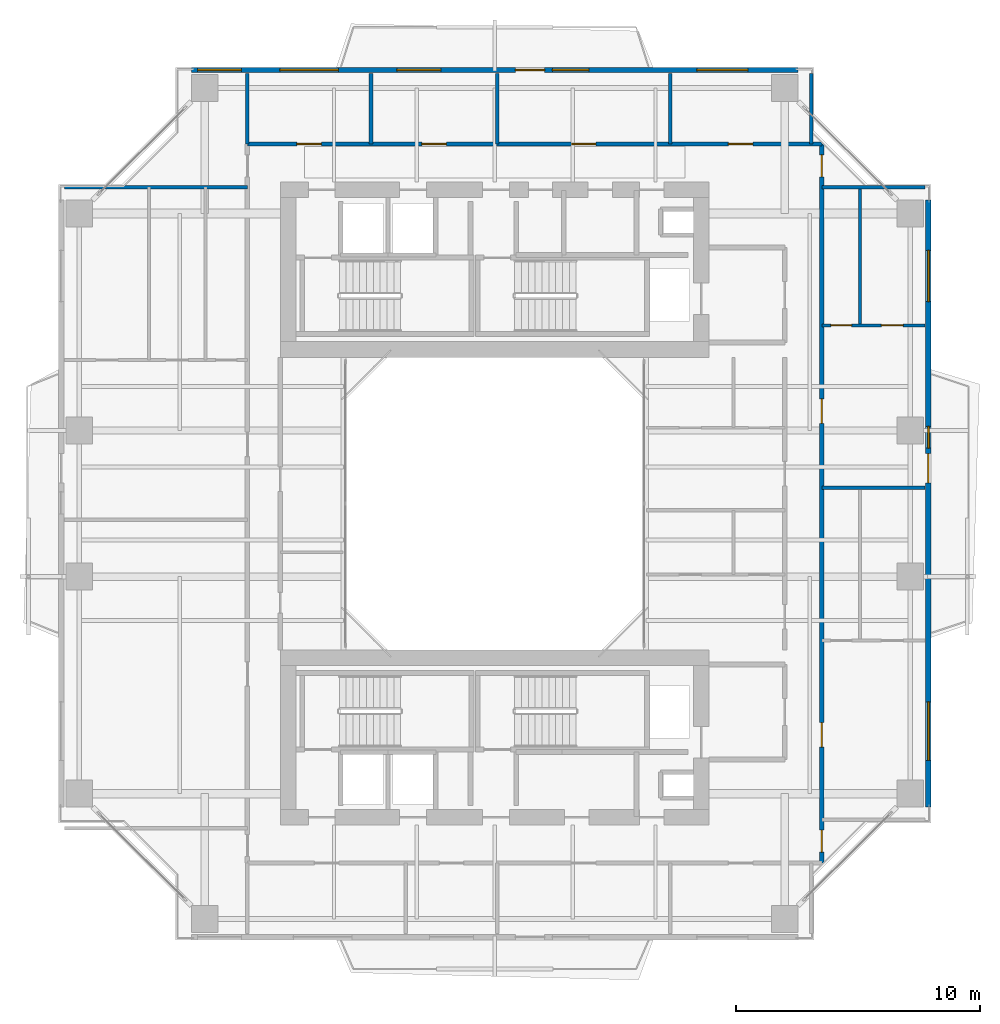
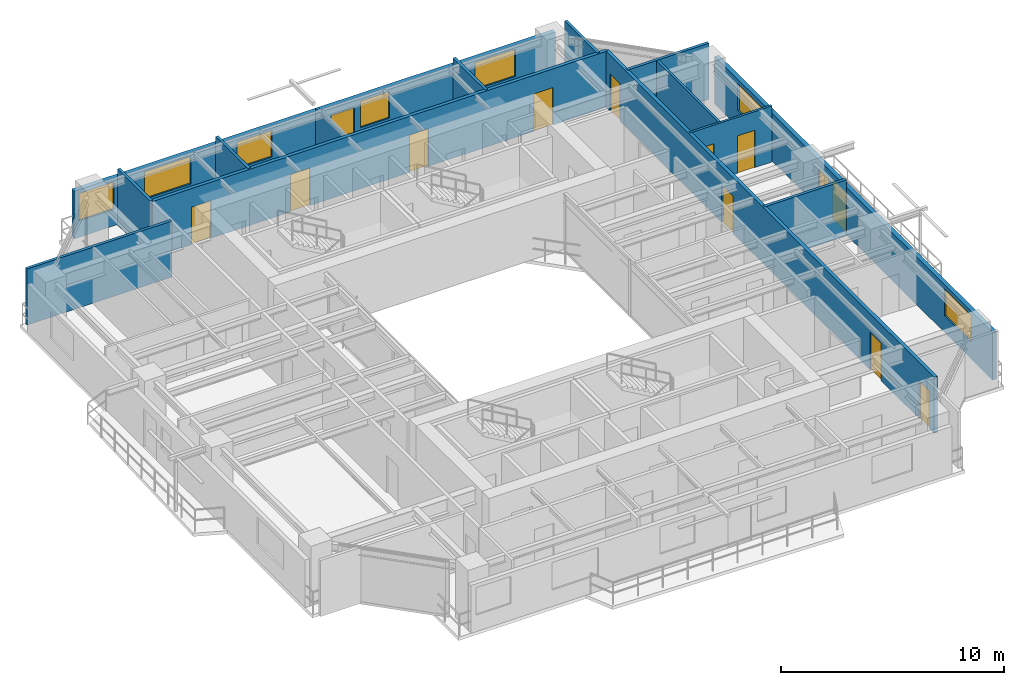
# One storey, part 13 of 17: 14 walls, 12 doors, 8 windows, 20 openings.
"""IFC4 building model written with IfcOpenShell, lengths in metres."""

from ifc_helpers import new_model, si_unit, direction, frame, frame_2d, origin, place, context, subcontext, project, spatial, rectangle, extrude, source, transform, mapped, material, layer, layer_set, type_object, element, fill, save


model = new_model("IFC4")

# Units and contexts
model_context = context("Model", 3, precision=1e-05, world=origin(), true_north=direction((0.0, 1.0)))
body_context = subcontext(model_context, "Body", "Model", "MODEL_VIEW")
ifc_project = project(units=[si_unit("LENGTHUNIT", "METRE"), si_unit("AREAUNIT", "SQUARE_METRE"), si_unit("VOLUMEUNIT", "CUBIC_METRE"), si_unit("PLANEANGLEUNIT", "RADIAN"), si_unit("MASSUNIT", "GRAM", prefix="KILO"), si_unit("THERMODYNAMICTEMPERATUREUNIT", "KELVIN"), si_unit("POWERUNIT", "WATT")], contexts=[model_context])

# Site, building, storey
site_placement = place(None, origin())
site = spatial("IfcSite", under=ifc_project, at=site_placement, CompositionType="ELEMENT")
building_placement = place(site_placement, origin())
building = spatial("IfcBuilding", under=site, at=building_placement, Name="Qiaomeng Ring Towers", CompositionType="ELEMENT")
storey_placement = place(building_placement, frame((0.0, 0.0, 116.5)))
storey = spatial("IfcBuildingStorey", under=building, at=storey_placement, Name="L33", CompositionType="ELEMENT", Elevation=116.5)

# Wall, openings, windows, door
ifc_material_1 = material(Name="Precast concrete C40", Category="concrete")
ifc_layer_1 = layer(ifc_material_1, 0.219970703125, Name="Precast concrete C40")
ifc_layer_set_1 = layer_set([ifc_layer_1], Name="Precast concrete C40")
wall_type_1 = type_object("IfcWallType", Name="ARC-WL-EW2", PredefinedType="STANDARD", material=ifc_layer_set_1)
wall_1_placement = place(storey_placement, frame((6.550048828125, 40.7900390625, 0.0), z_axis=(0.0, 0.0, 1.0), x_axis=(1.0, 0.0, 0.0)))
wall_1 = element("IfcWall", 1, at=wall_1_placement, inside=storey, type_object=wall_type_1, Name="L33 Tower 1 N Exterior Wall", PredefinedType="STANDARD", context=body_context, shape_type="SweptSolid", body=[
    extrude(rectangle(XDim=24.89990234375, YDim=0.219970703125, at=frame_2d((12.449951171875, 0.0))), origin(), (0.0, 0.0, 1.0), 2.610107421875),
])
opening_1_placement = place(wall_1_placement, frame((13.300048828125, 0.0, 0.0)))
opening_1 = element("IfcOpeningElement", 2, at=opening_1_placement, cuts=wall_1, Name="Opening BD1", PredefinedType="OPENING", context=body_context, shape_type="SweptSolid", body=[
    extrude(rectangle(XDim=1.199951171875, YDim=2.10009765625, at=frame_2d((0.60009765625, 1.050048828125))), frame((0.0, 0.119873046875, 0.0), z_axis=(0.0, -1.0, 0.0), x_axis=(1.0, 0.0, 0.0)), (0.0, 0.0, 1.0), 0.239990234375),
])
opening_2_placement = place(wall_1_placement, frame((3.635009765625, 0.0, 0.89990234375)))
opening_2 = element("IfcOpeningElement", 3, at=opening_2_placement, cuts=wall_1, Name="Opening WN6", PredefinedType="OPENING", context=body_context, shape_type="SweptSolid", body=[
    extrude(rectangle(XDim=2.39990234375, YDim=1.5, at=frame_2d((1.199951171875, 0.75))), frame((0.0, 0.119873046875, 0.0), z_axis=(0.0, -1.0, 0.0), x_axis=(1.0, 0.0, 0.0)), (0.0, 0.0, 1.0), 0.239990234375),
])
opening_3_placement = place(wall_1_placement, frame((8.43798828125, 0.0, 0.89990234375)))
opening_3 = element("IfcOpeningElement", 4, at=opening_3_placement, cuts=wall_1, Name="Opening WN1", PredefinedType="OPENING", context=body_context, shape_type="SweptSolid", body=[
    extrude(rectangle(XDim=1.800048828125, YDim=1.449951171875, at=frame_2d((0.89990234375, 0.72509765625))), frame((0.0, 0.119873046875, 0.0), z_axis=(0.0, -1.0, 0.0), x_axis=(1.0, 0.0, 0.0)), (0.0, 0.0, 1.0), 0.239990234375),
])
opening_4_placement = place(wall_1_placement, frame((14.81298828125, 0.0, 0.89990234375)))
opening_4 = element("IfcOpeningElement", 5, at=opening_4_placement, cuts=wall_1, Name="Opening WN2", PredefinedType="OPENING", context=body_context, shape_type="SweptSolid", body=[
    extrude(rectangle(XDim=1.5, YDim=1.449951171875, at=frame_2d((0.75, 0.72509765625))), frame((0.0, 0.119873046875, 0.0), z_axis=(0.0, -1.0, 0.0), x_axis=(1.0, 0.0, 0.0)), (0.0, 0.0, 1.0), 0.239990234375),
])
opening_5_placement = place(wall_1_placement, frame((20.738037109375, 0.0, 0.89990234375)))
opening_5 = element("IfcOpeningElement", 6, at=opening_5_placement, cuts=wall_1, Name="Opening WN4", PredefinedType="OPENING", context=body_context, shape_type="SweptSolid", body=[
    extrude(rectangle(XDim=2.10009765625, YDim=1.47998046875, at=frame_2d((1.050048828125, 0.739990234375))), frame((0.0, 0.119873046875, 0.0), z_axis=(0.0, -1.0, 0.0), x_axis=(1.0, 0.0, 0.0)), (0.0, 0.0, 1.0), 0.239990234375),
])
opening_6_placement = place(wall_1_placement, frame((0.257568359375, 0.0, 0.89990234375)))
opening_6 = element("IfcOpeningElement", 7, at=opening_6_placement, cuts=wall_1, Name="Opening WN1", PredefinedType="OPENING", context=body_context, shape_type="SweptSolid", body=[
    extrude(rectangle(XDim=1.800048828125, YDim=1.5, at=frame_2d((0.89990234375, 0.75))), frame((0.0, 0.119873046875, 0.0), z_axis=(0.0, -1.0, 0.0), x_axis=(1.0, 0.0, 0.0)), (0.0, 0.0, 1.0), 0.239990234375),
])
ifc_material_2 = material(Name="Low-E dark-grey laminated double glazing", Category="glass")
window_type_1 = type_object("IfcWindowType", Name="ARC-WN-2", PartitioningType="DOUBLE_PANEL_VERTICAL", PredefinedType="WINDOW", material=ifc_material_2)
shared_shape_1 = source(origin(), body_context, "Body", "SweptSolid", [
    extrude(rectangle(XDim=1.5, YDim=1.449951171875, at=frame_2d((0.75, 0.72509765625))), frame((0.0, 0.030029296875, 0.0), z_axis=(0.0, -1.0, 0.0), x_axis=(1.0, 0.0, 0.0)), (0.0, 0.0, 1.0), 0.06005859375),
])
window_1_placement = place(opening_4_placement, origin())
window_1 = element("IfcWindow", 8, at=window_1_placement, inside=storey, type_object=window_type_1, Name="L33 Exterior Window WN2", OverallHeight=1.449951171875, OverallWidth=1.5, PartitioningType="DOUBLE_PANEL_VERTICAL", PredefinedType="WINDOW", context=body_context, shape_type="MappedRepresentation", body=[
    mapped(shared_shape_1, transform((0.0, 0.0, 0.0), x_axis=(1.0, 0.0, 0.0), y_axis=(0.0, 1.0, 0.0), z_axis=(0.0, 0.0, 1.0), scale=1.0)),
])
fill(opening_4, window_1)
window_type_2 = type_object("IfcWindowType", Name="ARC-WN-4", PartitioningType="TRIPLE_PANEL_VERTICAL", PredefinedType="WINDOW", material=ifc_material_2)
shared_shape_2 = source(origin(), body_context, "Body", "SweptSolid", [
    extrude(rectangle(XDim=2.10009765625, YDim=1.47998046875, at=frame_2d((1.050048828125, 0.739990234375))), frame((0.0, 0.030029296875, 0.0), z_axis=(0.0, -1.0, 0.0), x_axis=(1.0, 0.0, 0.0)), (0.0, 0.0, 1.0), 0.06005859375),
])
window_2_placement = place(opening_5_placement, origin())
window_2 = element("IfcWindow", 9, at=window_2_placement, inside=storey, type_object=window_type_2, Name="L33 Exterior Window WN4", OverallHeight=1.47998046875, OverallWidth=2.10009765625, PartitioningType="TRIPLE_PANEL_VERTICAL", PredefinedType="WINDOW", context=body_context, shape_type="MappedRepresentation", body=[
    mapped(shared_shape_2, transform((0.0, 0.0, 0.0), x_axis=(1.0, 0.0, 0.0), y_axis=(0.0, 1.0, 0.0), z_axis=(0.0, 0.0, 1.0), scale=1.0)),
])
fill(opening_5, window_2)
window_type_3 = type_object("IfcWindowType", Name="ARC-WN-1", PartitioningType="DOUBLE_PANEL_VERTICAL", PredefinedType="WINDOW", material=ifc_material_2)
shared_shape_3 = source(origin(), body_context, "Body", "SweptSolid", [
    extrude(rectangle(XDim=1.800048828125, YDim=1.449951171875, at=frame_2d((0.89990234375, 0.72509765625))), frame((0.0, 0.030029296875, 0.0), z_axis=(0.0, -1.0, 0.0), x_axis=(1.0, 0.0, 0.0)), (0.0, 0.0, 1.0), 0.06005859375),
])
window_3_placement = place(opening_3_placement, origin())
window_3 = element("IfcWindow", 10, at=window_3_placement, inside=storey, type_object=window_type_3, Name="L33 Exterior Window WN1", OverallHeight=1.449951171875, OverallWidth=1.800048828125, PartitioningType="DOUBLE_PANEL_VERTICAL", PredefinedType="WINDOW", context=body_context, shape_type="MappedRepresentation", body=[
    mapped(shared_shape_3, transform((0.0, 0.0, 0.0), x_axis=(1.0, 0.0, 0.0), y_axis=(0.0, 1.0, 0.0), z_axis=(0.0, 0.0, 1.0), scale=1.0)),
])
fill(opening_3, window_3)
door_type_1 = type_object("IfcDoorType", Name="ARC-DR-BD1", OperationType="NOTDEFINED", PredefinedType="DOOR", material=ifc_material_2)
shared_shape_4 = source(origin(), body_context, "Body", "SweptSolid", [
    extrude(rectangle(XDim=1.199951171875, YDim=2.10009765625, at=frame_2d((0.60009765625, 1.050048828125))), frame((0.0, 0.02490234375, 0.0), z_axis=(0.0, -1.0, 0.0), x_axis=(1.0, 0.0, 0.0)), (0.0, 0.0, 1.0), 0.050048828125),
])
door_1_placement = place(opening_1_placement, origin())
door_1 = element("IfcDoor", 11, at=door_1_placement, inside=storey, type_object=door_type_1, Name="L33 N Balcony Glazed Door", OperationType="SINGLE_SWING_LEFT", OverallHeight=2.10009765625, OverallWidth=1.199951171875, PredefinedType="DOOR", context=body_context, shape_type="MappedRepresentation", body=[
    mapped(shared_shape_4, transform((0.0, 0.0, 0.0), x_axis=(1.0, 0.0, 0.0), y_axis=(0.0, 1.0, 0.0), z_axis=(0.0, 0.0, 1.0), scale=1.0)),
])
fill(opening_1, door_1)
window_type_4 = type_object("IfcWindowType", Name="ARC-WN-6", PartitioningType="TRIPLE_PANEL_VERTICAL", PredefinedType="WINDOW", material=ifc_material_2)
shared_shape_5 = source(origin(), body_context, "Body", "SweptSolid", [
    extrude(rectangle(XDim=2.39990234375, YDim=1.5, at=frame_2d((1.199951171875, 0.75))), frame((0.0, 0.030029296875, 0.0), z_axis=(0.0, -1.0, 0.0), x_axis=(1.0, 0.0, 0.0)), (0.0, 0.0, 1.0), 0.06005859375),
])
window_4_placement = place(opening_2_placement, origin())
window_4 = element("IfcWindow", 12, at=window_4_placement, inside=storey, type_object=window_type_4, Name="L33 Exterior Window WN6", OverallHeight=1.5, OverallWidth=2.39990234375, PartitioningType="TRIPLE_PANEL_VERTICAL", PredefinedType="WINDOW", context=body_context, shape_type="MappedRepresentation", body=[
    mapped(shared_shape_5, transform((0.0, 0.0, 0.0), x_axis=(1.0, 0.0, 0.0), y_axis=(0.0, 1.0, 0.0), z_axis=(0.0, 0.0, 1.0), scale=1.0)),
])
fill(opening_2, window_4)
shared_shape_6 = source(origin(), body_context, "Body", "SweptSolid", [
    extrude(rectangle(XDim=1.800048828125, YDim=1.5, at=frame_2d((0.89990234375, 0.75))), frame((0.0, 0.030029296875, 0.0), z_axis=(0.0, -1.0, 0.0), x_axis=(1.0, 0.0, 0.0)), (0.0, 0.0, 1.0), 0.06005859375),
])
window_5_placement = place(opening_6_placement, origin())
window_5 = element("IfcWindow", 13, at=window_5_placement, inside=storey, type_object=window_type_3, Name="L33 Exterior Window WN1", OverallHeight=1.5, OverallWidth=1.800048828125, PartitioningType="DOUBLE_PANEL_VERTICAL", PredefinedType="WINDOW", context=body_context, shape_type="MappedRepresentation", body=[
    mapped(shared_shape_6, transform((0.0, 0.0, 0.0), x_axis=(1.0, 0.0, 0.0), y_axis=(0.0, 1.0, 0.0), z_axis=(0.0, 0.0, 1.0), scale=1.0)),
])
fill(opening_6, window_5)

wall_2_placement = place(storey_placement, frame((36.7900390625, 10.550048828125, 0.0), z_axis=(0.0, 0.0, 1.0), x_axis=(0.0, 1.0, 0.0)))
wall_2 = element("IfcWall", 14, at=wall_2_placement, inside=storey, type_object=wall_type_1, Name="L33 Tower 1 E Exterior Wall", PredefinedType="STANDARD", context=body_context, shape_type="SweptSolid", body=[
    extrude(rectangle(XDim=24.89990234375, YDim=0.219970703125, at=frame_2d((12.449951171875, 0.0))), origin(), (0.0, 0.0, 1.0), 2.610107421875),
])
opening_7_placement = place(wall_2_placement, frame((13.300048828125, 0.0, 0.0)))
opening_7 = element("IfcOpeningElement", 15, at=opening_7_placement, cuts=wall_2, Name="Opening BD1", PredefinedType="OPENING", context=body_context, shape_type="SweptSolid", body=[
    extrude(rectangle(XDim=1.199951171875, YDim=2.10009765625, at=frame_2d((0.60009765625, 1.050048828125))), frame((0.0, 0.119873046875, 0.0), z_axis=(0.0, -1.0, 0.0), x_axis=(1.0, 0.0, 0.0)), (0.0, 0.0, 1.0), 0.239990234375),
])
opening_8_placement = place(wall_2_placement, frame((1.912109375, 0.0, 0.89990234375)))
opening_8 = element("IfcOpeningElement", 16, at=opening_8_placement, cuts=wall_2, Name="Opening WN6", PredefinedType="OPENING", context=body_context, shape_type="SweptSolid", body=[
    extrude(rectangle(XDim=2.39990234375, YDim=1.47998046875, at=frame_2d((1.199951171875, 0.739990234375))), frame((0.0, 0.119873046875, 0.0), z_axis=(0.0, -1.0, 0.0), x_axis=(1.0, 0.0, 0.0)), (0.0, 0.0, 1.0), 0.239990234375),
])
opening_9_placement = place(wall_2_placement, frame((20.737060546875, 0.0, 0.89990234375)))
opening_9 = element("IfcOpeningElement", 17, at=opening_9_placement, cuts=wall_2, Name="Opening WN4", PredefinedType="OPENING", context=body_context, shape_type="SweptSolid", body=[
    extrude(rectangle(XDim=2.10009765625, YDim=1.47998046875, at=frame_2d((1.050048828125, 0.739990234375))), frame((0.0, 0.119873046875, 0.0), z_axis=(0.0, -1.0, 0.0), x_axis=(1.0, 0.0, 0.0)), (0.0, 0.0, 1.0), 0.239990234375),
])
opening_10_placement = place(wall_2_placement, frame((14.719970703125, 0.0, 0.89990234375)))
opening_10 = element("IfcOpeningElement", 18, at=opening_10_placement, cuts=wall_2, Name="Opening WN5", PredefinedType="OPENING", context=body_context, shape_type="SweptSolid", body=[
    extrude(rectangle(XDim=0.89990234375, YDim=1.199951171875, at=frame_2d((0.449951171875, 0.60009765625))), frame((0.0, 0.119873046875, 0.0), z_axis=(0.0, -1.0, 0.0), x_axis=(1.0, 0.0, 0.0)), (0.0, 0.0, 1.0), 0.239990234375),
])
window_6_placement = place(opening_9_placement, origin())
window_6 = element("IfcWindow", 19, at=window_6_placement, inside=storey, type_object=window_type_2, Name="L33 Exterior Window WN4", OverallHeight=1.47998046875, OverallWidth=2.10009765625, PartitioningType="TRIPLE_PANEL_VERTICAL", PredefinedType="WINDOW", context=body_context, shape_type="MappedRepresentation", body=[
    mapped(shared_shape_2, transform((0.0, 0.0, 0.0), x_axis=(1.0, 0.0, 0.0), y_axis=(0.0, 1.0, 0.0), z_axis=(0.0, 0.0, 1.0), scale=1.0)),
])
fill(opening_9, window_6)
shared_shape_7 = source(origin(), body_context, "Body", "SweptSolid", [
    extrude(rectangle(XDim=2.39990234375, YDim=1.47998046875, at=frame_2d((1.199951171875, 0.739990234375))), frame((0.0, 0.030029296875, 0.0), z_axis=(0.0, -1.0, 0.0), x_axis=(1.0, 0.0, 0.0)), (0.0, 0.0, 1.0), 0.06005859375),
])
window_7_placement = place(opening_8_placement, origin())
window_7 = element("IfcWindow", 20, at=window_7_placement, inside=storey, type_object=window_type_4, Name="L33 Exterior Window WN6", OverallHeight=1.47998046875, OverallWidth=2.39990234375, PartitioningType="TRIPLE_PANEL_VERTICAL", PredefinedType="WINDOW", context=body_context, shape_type="MappedRepresentation", body=[
    mapped(shared_shape_7, transform((0.0, 0.0, 0.0), x_axis=(1.0, 0.0, 0.0), y_axis=(0.0, 1.0, 0.0), z_axis=(0.0, 0.0, 1.0), scale=1.0)),
])
fill(opening_8, window_7)
door_2_placement = place(opening_7_placement, origin())
door_2 = element("IfcDoor", 21, at=door_2_placement, inside=storey, type_object=door_type_1, Name="L33 E Balcony Glazed Door", OperationType="SINGLE_SWING_LEFT", OverallHeight=2.10009765625, OverallWidth=1.199951171875, PredefinedType="DOOR", context=body_context, shape_type="MappedRepresentation", body=[
    mapped(shared_shape_4, transform((0.0, 0.0, 0.0), x_axis=(1.0, 0.0, 0.0), y_axis=(0.0, 1.0, 0.0), z_axis=(0.0, 0.0, 1.0), scale=1.0)),
])
fill(opening_7, door_2)
window_type_5 = type_object("IfcWindowType", Name="ARC-WN-5", PartitioningType="SINGLE_PANEL", PredefinedType="WINDOW", material=ifc_material_2)
shared_shape_8 = source(origin(), body_context, "Body", "SweptSolid", [
    extrude(rectangle(XDim=0.89990234375, YDim=1.199951171875, at=frame_2d((0.449951171875, 0.60009765625))), frame((0.0, 0.030029296875, 0.0), z_axis=(0.0, -1.0, 0.0), x_axis=(1.0, 0.0, 0.0)), (0.0, 0.0, 1.0), 0.06005859375),
])
window_8_placement = place(opening_10_placement, origin())
window_8 = element("IfcWindow", 22, at=window_8_placement, inside=storey, type_object=window_type_5, Name="L33 Exterior Window WN5", OverallHeight=1.199951171875, OverallWidth=0.89990234375, PartitioningType="SINGLE_PANEL", PredefinedType="WINDOW", context=body_context, shape_type="MappedRepresentation", body=[
    mapped(shared_shape_8, transform((0.0, 0.0, 0.0), x_axis=(1.0, 0.0, 0.0), y_axis=(0.0, 1.0, 0.0), z_axis=(0.0, 0.0, 1.0), scale=1.0)),
])
fill(opening_10, window_8)

# Wall, openings, doors
ifc_material_3 = material(Name="Autoclaved aerated concrete block", Category="concrete")
ifc_layer_2 = layer(ifc_material_3, 0.179931640625, Name="Autoclaved aerated concrete block")
ifc_layer_set_2 = layer_set([ifc_layer_2], Name="Autoclaved aerated concrete block")
wall_type_2 = type_object("IfcWallType", Name="ARC-WL-PW2", PredefinedType="PARTITIONING", material=ifc_layer_set_2)
wall_3_placement = place(storey_placement, frame((8.85009765625, 37.75, 0.0), z_axis=(0.0, 0.0, 1.0), x_axis=(1.0, 0.0, 0.0)))
wall_3 = element("IfcWall", 23, at=wall_3_placement, inside=storey, type_object=wall_type_2, Name="L33 Interior Wall PW2", PredefinedType="PARTITIONING", context=body_context, shape_type="SweptSolid", body=[
    extrude(rectangle(XDim=23.56982421875, YDim=0.179931640625, at=frame_2d((11.784912109375, 0.0))), origin(), (0.0, 0.0, 1.0), 3.070068359375),
])
opening_11_placement = place(wall_3_placement, frame((2.034912109375, 0.0, 0.0)))
opening_11 = element("IfcOpeningElement", 24, at=opening_11_placement, cuts=wall_3, Name="Opening FD4", PredefinedType="OPENING", context=body_context, shape_type="SweptSolid", body=[
    extrude(rectangle(XDim=1.0, YDim=2.050048828125, at=frame_2d((0.5, 1.02490234375))), frame((0.0, 0.099853515625, 0.0), z_axis=(0.0, -1.0, 0.0), x_axis=(1.0, 0.0, 0.0)), (0.0, 0.0, 1.0), 0.199951171875),
])
opening_12_placement = place(wall_3_placement, frame((7.159912109375, 0.0, 0.0)))
opening_12 = element("IfcOpeningElement", 25, at=opening_12_placement, cuts=wall_3, Name="Opening FD4", PredefinedType="OPENING", context=body_context, shape_type="SweptSolid", body=[
    extrude(rectangle(XDim=1.0, YDim=2.050048828125, at=frame_2d((0.5, 1.02490234375))), frame((0.0, 0.099853515625, 0.0), z_axis=(0.0, -1.0, 0.0), x_axis=(1.0, 0.0, 0.0)), (0.0, 0.0, 1.0), 0.199951171875),
])
opening_13_placement = place(wall_3_placement, frame((13.300048828125, 0.0, 0.0)))
opening_13 = element("IfcOpeningElement", 26, at=opening_13_placement, cuts=wall_3, Name="Opening FD4", PredefinedType="OPENING", context=body_context, shape_type="SweptSolid", body=[
    extrude(rectangle(XDim=1.0, YDim=2.050048828125, at=frame_2d((0.5, 1.02490234375))), frame((0.0, 0.099853515625, 0.0), z_axis=(0.0, -1.0, 0.0), x_axis=(1.0, 0.0, 0.0)), (0.0, 0.0, 1.0), 0.199951171875),
])
opening_14_placement = place(wall_3_placement, frame((19.739990234375, 0.0, 0.0)))
opening_14 = element("IfcOpeningElement", 27, at=opening_14_placement, cuts=wall_3, Name="Opening FD4", PredefinedType="OPENING", context=body_context, shape_type="SweptSolid", body=[
    extrude(rectangle(XDim=1.0, YDim=2.050048828125, at=frame_2d((0.5, 1.02490234375))), frame((0.0, 0.099853515625, 0.0), z_axis=(0.0, -1.0, 0.0), x_axis=(1.0, 0.0, 0.0)), (0.0, 0.0, 1.0), 0.199951171875),
])
ifc_material_4 = material(Name="Engineered fire-rated oak timber", Category="wood")
door_type_2 = type_object("IfcDoorType", Name="ARC-DR-FD4", OperationType="NOTDEFINED", PredefinedType="DOOR", material=ifc_material_4)
shared_shape_9 = source(origin(), body_context, "Body", "SweptSolid", [
    extrude(rectangle(XDim=1.0, YDim=2.050048828125, at=frame_2d((0.5, 1.02490234375))), frame((0.0, 0.02490234375, 0.0), z_axis=(0.0, -1.0, 0.0), x_axis=(1.0, 0.0, 0.0)), (0.0, 0.0, 1.0), 0.050048828125),
])
door_3_placement = place(opening_11_placement, origin())
door_3 = element("IfcDoor", 28, at=door_3_placement, inside=storey, type_object=door_type_2, Name="L33 Door FD4", OperationType="SINGLE_SWING_RIGHT", OverallHeight=2.050048828125, OverallWidth=1.0, PredefinedType="DOOR", context=body_context, shape_type="MappedRepresentation", body=[
    mapped(shared_shape_9, transform((0.0, 0.0, 0.0), x_axis=(1.0, 0.0, 0.0), y_axis=(0.0, 1.0, 0.0), z_axis=(0.0, 0.0, 1.0), scale=1.0)),
])
fill(opening_11, door_3)
door_4_placement = place(opening_12_placement, origin())
door_4 = element("IfcDoor", 29, at=door_4_placement, inside=storey, type_object=door_type_2, Name="L33 Door FD4", OperationType="SINGLE_SWING_LEFT", OverallHeight=2.050048828125, OverallWidth=1.0, PredefinedType="DOOR", context=body_context, shape_type="MappedRepresentation", body=[
    mapped(shared_shape_9, transform((0.0, 0.0, 0.0), x_axis=(1.0, 0.0, 0.0), y_axis=(0.0, 1.0, 0.0), z_axis=(0.0, 0.0, 1.0), scale=1.0)),
])
fill(opening_12, door_4)
door_5_placement = place(opening_13_placement, origin())
door_5 = element("IfcDoor", 30, at=door_5_placement, inside=storey, type_object=door_type_2, Name="L33 Door FD4", OperationType="SINGLE_SWING_RIGHT", OverallHeight=2.050048828125, OverallWidth=1.0, PredefinedType="DOOR", context=body_context, shape_type="MappedRepresentation", body=[
    mapped(shared_shape_9, transform((0.0, 0.0, 0.0), x_axis=(1.0, 0.0, 0.0), y_axis=(0.0, 1.0, 0.0), z_axis=(0.0, 0.0, 1.0), scale=1.0)),
])
fill(opening_13, door_5)
door_6_placement = place(opening_14_placement, origin())
door_6 = element("IfcDoor", 31, at=door_6_placement, inside=storey, type_object=door_type_2, Name="L33 Door FD4", OperationType="SINGLE_SWING_LEFT", OverallHeight=2.050048828125, OverallWidth=1.0, PredefinedType="DOOR", context=body_context, shape_type="MappedRepresentation", body=[
    mapped(shared_shape_9, transform((0.0, 0.0, 0.0), x_axis=(1.0, 0.0, 0.0), y_axis=(0.0, 1.0, 0.0), z_axis=(0.0, 0.0, 1.0), scale=1.0)),
])
fill(opening_14, door_6)

wall_4_placement = place(storey_placement, frame((32.419921875, 8.25, 0.0), z_axis=(0.0, 0.0, 1.0), x_axis=(0.0, 1.0, 0.0)))
wall_4 = element("IfcWall", 32, at=wall_4_placement, inside=storey, type_object=wall_type_2, Name="L33 Interior Wall PW2", PredefinedType="PARTITIONING", context=body_context, shape_type="SweptSolid", body=[
    extrude(rectangle(XDim=29.5, YDim=0.179931640625, at=frame_2d((14.75, 0.0))), origin(), (0.0, 0.0, 1.0), 3.070068359375),
])
opening_15_placement = place(wall_4_placement, frame((28.155029296875, 0.0, 0.0)))
opening_15 = element("IfcOpeningElement", 33, at=opening_15_placement, cuts=wall_4, Name="Opening ID1", PredefinedType="OPENING", context=body_context, shape_type="SweptSolid", body=[
    extrude(rectangle(XDim=0.89990234375, YDim=2.050048828125, at=frame_2d((0.449951171875, 1.02490234375))), frame((0.0, 0.099853515625, 0.0), z_axis=(0.0, -1.0, 0.0), x_axis=(1.0, 0.0, 0.0)), (0.0, 0.0, 1.0), 0.199951171875),
])
opening_16_placement = place(wall_4_placement, frame((0.445068359375, 0.0, 0.0)))
opening_16 = element("IfcOpeningElement", 34, at=opening_16_placement, cuts=wall_4, Name="Opening ID1", PredefinedType="OPENING", context=body_context, shape_type="SweptSolid", body=[
    extrude(rectangle(XDim=0.89990234375, YDim=2.050048828125, at=frame_2d((0.449951171875, 1.02490234375))), frame((0.0, 0.099853515625, 0.0), z_axis=(0.0, -1.0, 0.0), x_axis=(1.0, 0.0, 0.0)), (0.0, 0.0, 1.0), 0.199951171875),
])
opening_17_placement = place(wall_4_placement, frame((4.760009765625, 0.0, 0.0)))
opening_17 = element("IfcOpeningElement", 35, at=opening_17_placement, cuts=wall_4, Name="Opening FD4", PredefinedType="OPENING", context=body_context, shape_type="SweptSolid", body=[
    extrude(rectangle(XDim=1.0, YDim=2.050048828125, at=frame_2d((0.5, 1.02490234375))), frame((0.0, 0.099853515625, 0.0), z_axis=(0.0, -1.0, 0.0), x_axis=(1.0, 0.0, 0.0)), (0.0, 0.0, 1.0), 0.199951171875),
])
opening_18_placement = place(wall_4_placement, frame((18.0400390625, 0.0, 0.0)))
opening_18 = element("IfcOpeningElement", 36, at=opening_18_placement, cuts=wall_4, Name="Opening FD4", PredefinedType="OPENING", context=body_context, shape_type="SweptSolid", body=[
    extrude(rectangle(XDim=1.0, YDim=2.050048828125, at=frame_2d((0.5, 1.02490234375))), frame((0.0, 0.099853515625, 0.0), z_axis=(0.0, -1.0, 0.0), x_axis=(1.0, 0.0, 0.0)), (0.0, 0.0, 1.0), 0.199951171875),
])
door_7_placement = place(opening_17_placement, origin())
door_7 = element("IfcDoor", 37, at=door_7_placement, inside=storey, type_object=door_type_2, Name="L33 Door FD4", OperationType="SINGLE_SWING_LEFT", OverallHeight=2.050048828125, OverallWidth=1.0, PredefinedType="DOOR", context=body_context, shape_type="MappedRepresentation", body=[
    mapped(shared_shape_9, transform((0.0, 0.0, 0.0), x_axis=(1.0, 0.0, 0.0), y_axis=(0.0, 1.0, 0.0), z_axis=(0.0, 0.0, 1.0), scale=1.0)),
])
fill(opening_17, door_7)
door_8_placement = place(opening_18_placement, origin())
door_8 = element("IfcDoor", 38, at=door_8_placement, inside=storey, type_object=door_type_2, Name="L33 Door FD4", OperationType="SINGLE_SWING_RIGHT", OverallHeight=2.050048828125, OverallWidth=1.0, PredefinedType="DOOR", context=body_context, shape_type="MappedRepresentation", body=[
    mapped(shared_shape_9, transform((0.0, 0.0, 0.0), x_axis=(1.0, 0.0, 0.0), y_axis=(0.0, 1.0, 0.0), z_axis=(0.0, 0.0, 1.0), scale=1.0)),
])
fill(opening_18, door_8)
ifc_material_5 = material(Name="Engineered oak timber", Category="wood")
door_type_3 = type_object("IfcDoorType", Name="ARC-DR-ID1", OperationType="NOTDEFINED", PredefinedType="DOOR", material=ifc_material_5)
shared_shape_10 = source(origin(), body_context, "Body", "SweptSolid", [
    extrude(rectangle(XDim=0.89990234375, YDim=2.050048828125, at=frame_2d((0.449951171875, 1.02490234375))), frame((0.0, 0.02490234375, 0.0), z_axis=(0.0, -1.0, 0.0), x_axis=(1.0, 0.0, 0.0)), (0.0, 0.0, 1.0), 0.050048828125),
])
door_9_placement = place(opening_15_placement, origin())
door_9 = element("IfcDoor", 39, at=door_9_placement, inside=storey, type_object=door_type_3, Name="L33 Door ID1", OperationType="SINGLE_SWING_LEFT", OverallHeight=2.050048828125, OverallWidth=0.89990234375, PredefinedType="DOOR", context=body_context, shape_type="MappedRepresentation", body=[
    mapped(shared_shape_10, transform((0.0, 0.0, 0.0), x_axis=(1.0, 0.0, 0.0), y_axis=(0.0, 1.0, 0.0), z_axis=(0.0, 0.0, 1.0), scale=1.0)),
])
fill(opening_15, door_9)
door_10_placement = place(opening_16_placement, origin())
door_10 = element("IfcDoor", 40, at=door_10_placement, inside=storey, type_object=door_type_3, Name="L33 Door ID1", OperationType="SINGLE_SWING_RIGHT", OverallHeight=2.050048828125, OverallWidth=0.89990234375, PredefinedType="DOOR", context=body_context, shape_type="MappedRepresentation", body=[
    mapped(shared_shape_10, transform((0.0, 0.0, 0.0), x_axis=(1.0, 0.0, 0.0), y_axis=(0.0, 1.0, 0.0), z_axis=(0.0, 0.0, 1.0), scale=1.0)),
])
fill(opening_16, door_10)

# Walls
ifc_material_6 = material(Name="Gypsum fireboard steel-stud partition", Category="steel")
ifc_layer_3 = layer(ifc_material_6, 0.14990234375, Name="Gypsum fireboard steel-stud partition")
ifc_layer_set_3 = layer_set([ifc_layer_3], Name="Gypsum fireboard steel-stud partition")
wall_type_3 = type_object("IfcWallType", Name="ARC-WL-PW3", PredefinedType="PARTITIONING", material=ifc_layer_set_3)
wall_5_placement = place(storey_placement, frame((13.919921875, 37.75, 0.0), z_axis=(0.0, 0.0, 1.0), x_axis=(0.0, 1.0, 0.0)))
element("IfcWall", 41, at=wall_5_placement, inside=storey, type_object=wall_type_3, Name="L33 Interior Wall PW3", PredefinedType="PARTITIONING", context=body_context, shape_type="SweptSolid", body=[
    extrude(rectangle(XDim=2.89990234375, YDim=0.14990234375, at=frame_2d((1.449951171875, 0.0))), origin(), (0.0, 0.0, 1.0), 3.070068359375),
])
wall_6_placement = place(storey_placement, frame((19.10009765625, 37.75, 0.0), z_axis=(0.0, 0.0, 1.0), x_axis=(0.0, 1.0, 0.0)))
element("IfcWall", 42, at=wall_6_placement, inside=storey, type_object=wall_type_3, Name="L33 Interior Wall PW3", PredefinedType="PARTITIONING", context=body_context, shape_type="SweptSolid", body=[
    extrude(rectangle(XDim=2.89990234375, YDim=0.14990234375, at=frame_2d((1.449951171875, 0.0))), origin(), (0.0, 0.0, 1.0), 2.81494140625),
])
for number, where, z_axis, x_axis, name in (
    (43, (26.199951171875, 37.75, 0.0), (0.0, 0.0, 1.0), (0.0, 1.0, 0.0), "L33 Interior Wall PW3"),
    (44, (8.85009765625, 37.75, 0.0), (0.0, 0.0, 1.0), (0.0, 1.0, 0.0), "L33 Interior Wall PW3"),
    (45, (31.97998046875, 37.75, 0.0), (0.0, 0.0, 1.0), (0.0, 1.0, 0.0), "L33 Interior Wall PW3"),
):
    element("IfcWall", number, at=place(storey_placement, frame(where, z_axis=z_axis, x_axis=x_axis)), inside=storey, type_object=wall_type_3, Name=name, PredefinedType="PARTITIONING", context=body_context, shape_type="SweptSolid", body=[
        extrude(rectangle(XDim=2.89990234375, YDim=0.14990234375, at=frame_2d((1.449951171875, 0.0))), origin(), (0.0, 0.0, 1.0), 3.070068359375),
    ])
wall_7_placement = place(storey_placement, frame((1.35009765625, 35.97998046875, 0.0), z_axis=(0.0, 0.0, 1.0), x_axis=(1.0, 0.0, 0.0)))
element("IfcWall", 46, at=wall_7_placement, inside=storey, type_object=wall_type_3, Name="L33 Interior Wall PW3", PredefinedType="PARTITIONING", context=body_context, shape_type="SweptSolid", body=[
    extrude(rectangle(XDim=7.5, YDim=0.14990234375, at=frame_2d((3.75, 0.0))), origin(), (0.0, 0.0, 1.0), 3.070068359375),
])
for number, where, z_axis, x_axis, name in (
    (47, (32.419921875, 35.97998046875, 0.0), (0.0, 0.0, 1.0), (1.0, 0.0, 0.0), "L33 Interior Wall PW3"),
    (48, (32.419921875, 23.64990234375, 0.0), (0.0, 0.0, 1.0), (1.0, 0.0, 0.0), "L33 Interior Wall PW3"),
):
    element("IfcWall", number, at=place(storey_placement, frame(where, z_axis=z_axis, x_axis=x_axis)), inside=storey, type_object=wall_type_3, Name=name, PredefinedType="PARTITIONING", context=body_context, shape_type="SweptSolid", body=[
        extrude(rectangle(XDim=4.22998046875, YDim=0.14990234375, at=frame_2d((2.114990234375, 0.0))), origin(), (0.0, 0.0, 1.0), 3.070068359375),
    ])

# Wall, openings, doors
ifc_material_7 = material(Name="Moisture-resistant gypsum steel-stud partition", Category="steel")
ifc_layer_4 = layer(ifc_material_7, 0.1201171875, Name="Moisture-resistant gypsum steel-stud partition")
ifc_layer_set_4 = layer_set([ifc_layer_4], Name="Moisture-resistant gypsum steel-stud partition")
wall_type_4 = type_object("IfcWallType", Name="ARC-WL-PW4", PredefinedType="PLUMBINGWALL", material=ifc_layer_set_4)
wall_8_placement = place(storey_placement, frame((32.419921875, 30.31005859375, 0.0), z_axis=(0.0, 0.0, 1.0), x_axis=(1.0, 0.0, 0.0)))
wall_8 = element("IfcWall", 49, at=wall_8_placement, inside=storey, type_object=wall_type_4, Name="L33 Interior Wall PW4", PredefinedType="PLUMBINGWALL", context=body_context, shape_type="SweptSolid", body=[
    extrude(rectangle(XDim=4.22998046875, YDim=0.1201171875, at=frame_2d((2.114990234375, 0.0))), origin(), (0.0, 0.0, 1.0), 3.070068359375),
])
opening_19_placement = place(wall_8_placement, frame((0.3701171875, 0.0, 0.0)))
opening_19 = element("IfcOpeningElement", 50, at=opening_19_placement, cuts=wall_8, Name="Opening ID2", PredefinedType="OPENING", context=body_context, shape_type="SweptSolid", body=[
    extrude(rectangle(XDim=0.85009765625, YDim=2.050048828125, at=frame_2d((0.425048828125, 1.02490234375))), frame((0.0, 0.070068359375, 0.0), z_axis=(0.0, -1.0, 0.0), x_axis=(1.0, 0.0, 0.0)), (0.0, 0.0, 1.0), 0.14013671875),
])
opening_20_placement = place(wall_8_placement, frame((2.43994140625, 0.0, 0.0)))
opening_20 = element("IfcOpeningElement", 51, at=opening_20_placement, cuts=wall_8, Name="Opening ID1", PredefinedType="OPENING", context=body_context, shape_type="SweptSolid", body=[
    extrude(rectangle(XDim=0.89990234375, YDim=2.050048828125, at=frame_2d((0.449951171875, 1.02490234375))), frame((0.0, 0.070068359375, 0.0), z_axis=(0.0, -1.0, 0.0), x_axis=(1.0, 0.0, 0.0)), (0.0, 0.0, 1.0), 0.14013671875),
])
ifc_material_8 = material(Name="Moisture-resistant engineered timber", Category="wood")
door_type_4 = type_object("IfcDoorType", Name="ARC-DR-ID2", OperationType="NOTDEFINED", PredefinedType="DOOR", material=ifc_material_8)
shared_shape_11 = source(origin(), body_context, "Body", "SweptSolid", [
    extrude(rectangle(XDim=0.85009765625, YDim=2.050048828125, at=frame_2d((0.425048828125, 1.02490234375))), frame((0.0, 0.02490234375, 0.0), z_axis=(0.0, -1.0, 0.0), x_axis=(1.0, 0.0, 0.0)), (0.0, 0.0, 1.0), 0.050048828125),
])
door_11_placement = place(opening_19_placement, origin())
door_11 = element("IfcDoor", 52, at=door_11_placement, inside=storey, type_object=door_type_4, Name="L33 Door ID2", OperationType="SINGLE_SWING_RIGHT", OverallHeight=2.050048828125, OverallWidth=0.85009765625, PredefinedType="DOOR", context=body_context, shape_type="MappedRepresentation", body=[
    mapped(shared_shape_11, transform((0.0, 0.0, 0.0), x_axis=(1.0, 0.0, 0.0), y_axis=(0.0, 1.0, 0.0), z_axis=(0.0, 0.0, 1.0), scale=1.0)),
])
fill(opening_19, door_11)
door_12_placement = place(opening_20_placement, origin())
door_12 = element("IfcDoor", 53, at=door_12_placement, inside=storey, type_object=door_type_3, Name="L33 Door ID1", OperationType="SINGLE_SWING_LEFT", OverallHeight=2.050048828125, OverallWidth=0.89990234375, PredefinedType="DOOR", context=body_context, shape_type="MappedRepresentation", body=[
    mapped(shared_shape_10, transform((0.0, 0.0, 0.0), x_axis=(1.0, 0.0, 0.0), y_axis=(0.0, 1.0, 0.0), z_axis=(0.0, 0.0, 1.0), scale=1.0)),
])
fill(opening_20, door_12)

# Wall
wall_9_placement = place(storey_placement, frame((33.989990234375, 30.31005859375, 0.0), z_axis=(0.0, 0.0, 1.0), x_axis=(0.0, 1.0, 0.0)))
element("IfcWall", 54, at=wall_9_placement, inside=storey, type_object=wall_type_4, Name="L33 Interior Wall PW4", PredefinedType="PLUMBINGWALL", context=body_context, shape_type="SweptSolid", body=[
    extrude(rectangle(XDim=5.669921875, YDim=0.1201171875, at=frame_2d((2.8349609375, 0.0))), origin(), (0.0, 0.0, 1.0), 3.070068359375),
])

save(model, "model.ifc")
